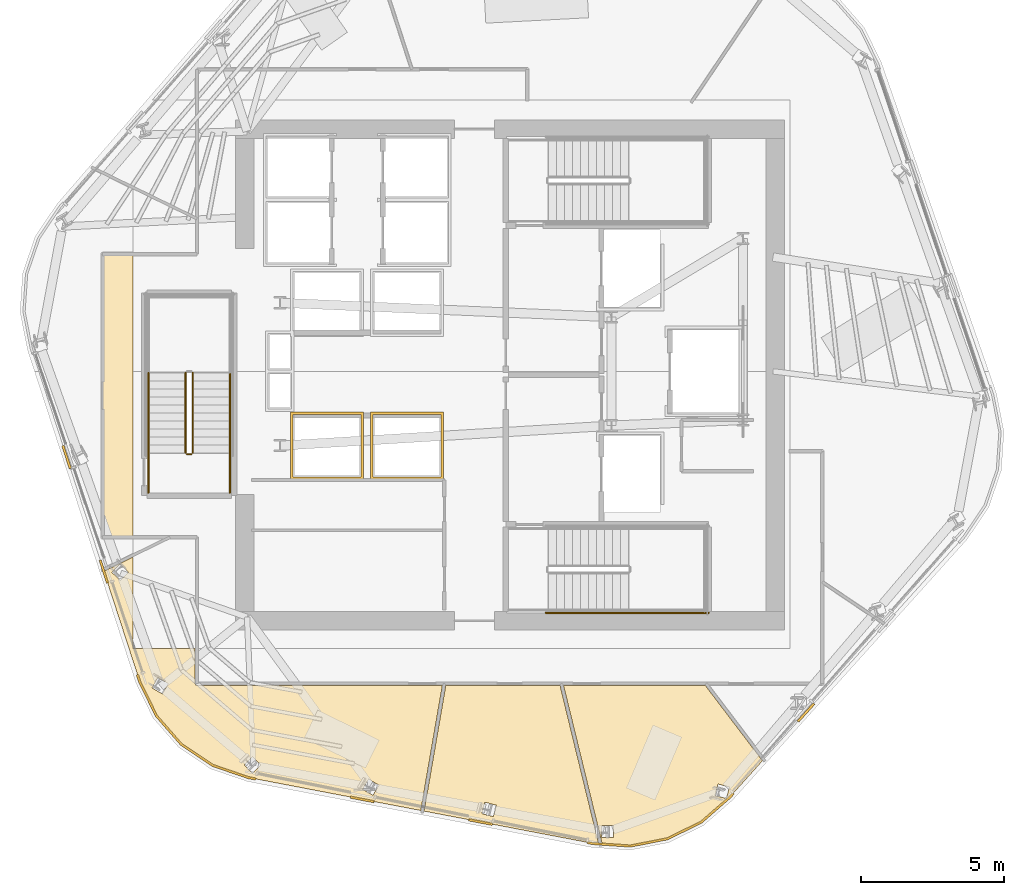
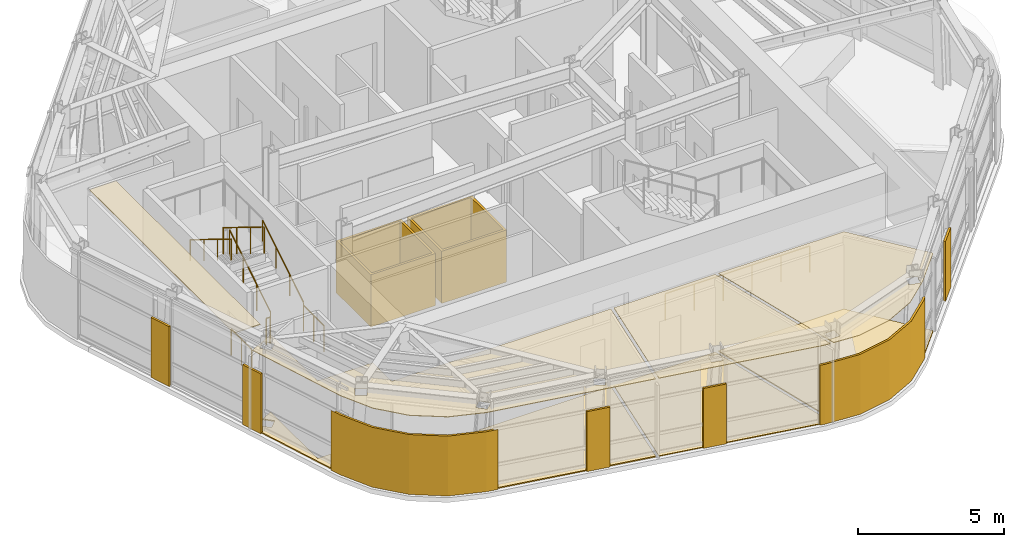
# One storey, part 8 of 12: 16 coverings, 8 railings.
"""IFC4 building model written with IfcOpenShell, lengths in metres."""

from ifc_helpers import new_model, si_unit, direction, frame, origin, origin_2d, place, context, subcontext, project, spatial, polyline, circle, outline, extrude, material, layer, layer_set, type_object, element, save


model = new_model("IFC4")

# Units and contexts
model_context = context("Model", 3, precision=1e-05, world=origin(), true_north=direction((0.0, 1.0)))
body_context = subcontext(model_context, "Body", "Model", "MODEL_VIEW")
ifc_project = project(units=[si_unit("LENGTHUNIT", "METRE"), si_unit("AREAUNIT", "SQUARE_METRE"), si_unit("VOLUMEUNIT", "CUBIC_METRE"), si_unit("PLANEANGLEUNIT", "RADIAN"), si_unit("MASSUNIT", "GRAM", prefix="KILO")], contexts=[model_context])

# Site, building, storey
site_placement = place(None, origin())
site = spatial("IfcSite", under=ifc_project, at=site_placement, CompositionType="ELEMENT")
building_placement = place(site_placement, origin())
building = spatial("IfcBuilding", under=site, at=building_placement, Name="Valkerne Bourse Tower", CompositionType="ELEMENT")
storey_placement = place(building_placement, frame((0.0, 0.0, 232.199951171875)))
storey = spatial("IfcBuildingStorey", under=building, at=storey_placement, Name="L59", CompositionType="ELEMENT", Elevation=232.199951171875)

# Coverings
ifc_material_1 = material(Name="Mineral Fiber Acoustic Ceiling Tile", Category="acoustic")
ifc_layer_1 = layer(ifc_material_1, 0.02490234375)
ifc_layer_set_1 = layer_set([ifc_layer_1], Name="Mineral Fiber Acoustic Ceiling Tile")
covering_type_1 = type_object("IfcCoveringType", Name="COV-CEIL-ACT", PredefinedType="CEILING", material=ifc_layer_set_1)
covering_1_placement = place(storey_placement, frame((0.0, 0.0, 3.25)))
element("IfcCovering", 1, at=covering_1_placement, inside=storey, type_object=covering_type_1, Name="L59 Suspended Ceiling 05", PredefinedType="CEILING", context=body_context, shape_type="SweptSolid", body=[
    extrude(outline(polyline([(44.5517578125, 16.010986328125), (48.550048828125, 16.010986328125), (49.900146484375, 10.47216796875), (49.6806640625, 10.487060546875), (43.792236328125, 11.614013671875), (44.5517578125, 16.010986328125)]), holes=[polyline([(45.91943359375, 11.9248046875), (45.917236328125, 11.925048828125), (45.814697265625, 11.526123046875), (46.215087890625, 11.422607421875), (46.21728515625, 11.422607421875), (46.320068359375, 11.821533203125), (45.91943359375, 11.9248046875)])]), origin(), (0.0, 0.0, 1.0), 0.025146484375),
])
covering_2_placement = place(storey_placement, frame((0.0, 0.0, 3.25)))
element("IfcCovering", 2, at=covering_2_placement, inside=storey, type_object=covering_type_1, Name="L59 Suspended Ceiling 06", PredefinedType="CEILING", context=body_context, shape_type="SweptSolid", body=[
    extrude(outline(polyline([(52.30224609375, 10.650634765625), (51.00732421875, 10.396728515625), (50.023681640625, 10.463623046875), (48.67138671875, 16.010986328125), (53.632080078125, 16.010986328125), (55.632080078125, 13.376220703125), (54.4892578125, 12.10546875), (53.487060546875, 11.231201171875), (52.30224609375, 10.650634765625)]), holes=[polyline([(50.416015625, 10.692138671875), (50.4140625, 11.10400390625), (50.00048828125, 11.1025390625), (49.998291015625, 11.10205078125), (50.0, 10.690185546875), (50.41357421875, 10.691650390625), (50.416015625, 10.692138671875)]), polyline([(54.474609375, 12.456298828125), (54.0771484375, 12.562744140625), (54.074951171875, 12.5615234375), (53.968994140625, 12.161376953125), (54.3662109375, 12.05517578125), (54.368408203125, 12.05615234375), (54.474609375, 12.456298828125)])]), origin(), (0.0, 0.0, 1.0), 0.025146484375),
])
covering_3_placement = place(storey_placement, frame((0.0, 0.0, 3.25)))
element("IfcCovering", 3, at=covering_3_placement, inside=storey, type_object=covering_type_1, Name="L59 Suspended Ceiling 09", PredefinedType="CEILING", context=body_context, shape_type="SweptSolid", body=[
    extrude(outline(polyline([(35.299560546875, 13.955322265625), (34.43212890625, 14.94970703125), (33.847900390625, 16.142578125), (32.590576171875, 20.00390625), (33.60009765625, 20.496337890625), (33.60009765625, 17.300048828125), (35.781005859375, 17.300048828125), (35.781005859375, 16.07958984375), (35.790283203125, 16.044921875), (35.81494140625, 16.0205078125), (35.849609375, 16.010986328125), (44.431884765625, 16.010986328125), (43.67626953125, 11.635986328125), (37.651611328125, 12.7890625), (36.394775390625, 13.219482421875), (35.299560546875, 13.955322265625)]), holes=[polyline([(41.853759765625, 12.732177734375), (41.851806640625, 12.73291015625), (41.644287109375, 12.377197265625), (42.00146484375, 12.168701171875), (42.003662109375, 12.167724609375), (42.2109375, 12.523681640625), (41.853759765625, 12.732177734375)]), polyline([(37.7880859375, 13.518310546875), (37.785888671875, 13.519775390625), (37.4951171875, 13.227783203125), (37.787841796875, 12.935791015625), (37.789794921875, 12.9345703125), (38.08056640625, 13.226318359375), (37.7880859375, 13.518310546875)]), polyline([(34.838623046875, 16.07666015625), (34.481689453125, 16.280517578125), (34.275634765625, 15.921142578125), (34.27734375, 15.919189453125), (34.63427734375, 15.71533203125), (34.84033203125, 16.07470703125), (34.838623046875, 16.07666015625)]), polyline([(33.4521484375, 19.976318359375), (33.15869140625, 20.26416015625), (32.8681640625, 19.968505859375), (32.869140625, 19.966552734375), (33.162841796875, 19.6787109375), (33.453125, 19.974365234375), (33.4521484375, 19.976318359375)])]), origin(), (0.0, 0.0, 1.0), 0.025146484375),
])
ifc_material_2 = material(Name="Bronze Anodised Aluminium AA 6063-T6", Category="aluminium")
ifc_layer_2 = layer(ifc_material_2, 0.030029296875)
ifc_layer_set_2 = layer_set([ifc_layer_2], Name="Bronze Anodised Aluminium AA 6063-T6")
covering_type_2 = type_object("IfcCoveringType", Name="COV-CEIL-METAL", PredefinedType="CEILING", material=ifc_layer_set_2)
covering_4_placement = place(storey_placement, frame((0.0, 0.0, 3.25)))
element("IfcCovering", 4, at=covering_4_placement, inside=storey, type_object=covering_type_2, Name="L59 Suspended Ceiling 02", PredefinedType="CEILING", context=body_context, shape_type="SweptSolid", body=[
    extrude(outline(polyline([(32.553955078125, 21.2041015625), (32.553955078125, 31.095947265625), (33.60009765625, 31.095947265625), (33.60009765625, 21.2041015625), (32.553955078125, 21.2041015625)])), origin(), (0.0, 0.0, 1.0), 0.025146484375),
])
ifc_layer_3 = layer(ifc_material_2, 0.06005859375)
ifc_layer_set_3 = layer_set([ifc_layer_3], Name="Bronze Anodised Aluminium AA 6063-T6")
covering_type_3 = type_object("IfcCoveringType", Name="COV-CRN-ALUM", PredefinedType="CLADDING", material=ifc_layer_set_3)
covering_5_placement = place(storey_placement, origin())
element("IfcCovering", 5, at=covering_5_placement, inside=storey, type_object=covering_type_3, Name="L59 Wind-Shaped Corner Aluminium Cladding 03", PredefinedType="CLADDING", context=body_context, shape_type="SweptSolid", body=[
    extrude(outline(polyline([(56.904052734375, 14.724609375), (56.843994140625, 14.777587890625), (57.40576171875, 15.402099609375), (57.4658203125, 15.34912109375), (56.904052734375, 14.724609375)])), origin(), (0.0, 0.0, 1.0), 2.5),
])
covering_6_placement = place(storey_placement, origin())
element("IfcCovering", 6, at=covering_6_placement, inside=storey, type_object=covering_type_3, Name="L59 Wind-Shaped Corner Aluminium Cladding 04", PredefinedType="CLADDING", context=body_context, shape_type="SweptSolid", body=[
    extrude(outline(polyline([(54.520263671875, 12.073974609375), (53.51171875, 11.194091796875), (52.31640625, 10.608642578125), (51.010009765625, 10.352294921875), (49.6748046875, 10.443359375), (49.485595703125, 10.4794921875), (49.50146484375, 10.55810546875), (49.685302734375, 10.522705078125), (51.0048828125, 10.432861328125), (52.29052734375, 10.68505859375), (53.467041015625, 11.261474609375), (54.464111328125, 12.131103515625), (54.589111328125, 12.270263671875), (54.649169921875, 12.21728515625), (54.520263671875, 12.073974609375)])), origin(), (0.0, 0.0, 1.0), 2.5),
])
covering_7_placement = place(storey_placement, origin())
element("IfcCovering", 7, at=covering_7_placement, inside=storey, type_object=covering_type_3, Name="L59 Wind-Shaped Corner Aluminium Cladding 05", PredefinedType="CLADDING", context=body_context, shape_type="SweptSolid", body=[
    extrude(outline(polyline([(45.348388671875, 11.271240234375), (45.3642578125, 11.349853515625), (46.189208984375, 11.19189453125), (46.173583984375, 11.11328125), (45.348388671875, 11.271240234375)])), origin(), (0.0, 0.0, 1.0), 2.5),
])
covering_8_placement = place(storey_placement, origin())
element("IfcCovering", 8, at=covering_8_placement, inside=storey, type_object=covering_type_3, Name="L59 Wind-Shaped Corner Aluminium Cladding 06", PredefinedType="CLADDING", context=body_context, shape_type="SweptSolid", body=[
    extrude(outline(polyline([(41.21142578125, 12.06298828125), (41.227294921875, 12.1416015625), (42.05224609375, 11.983642578125), (42.036376953125, 11.9052734375), (41.21142578125, 12.06298828125)])), origin(), (0.0, 0.0, 1.0), 2.5),
])
covering_9_placement = place(storey_placement, origin())
element("IfcCovering", 9, at=covering_9_placement, inside=storey, type_object=covering_type_3, Name="L59 Wind-Shaped Corner Aluminium Cladding 07", PredefinedType="CLADDING", context=body_context, shape_type="SweptSolid", body=[
    extrude(outline(polyline([(37.64013671875, 12.74658203125), (36.375, 13.1796875), (35.270263671875, 13.922119140625), (34.395263671875, 14.925048828125), (33.806884765625, 16.126220703125), (33.680419921875, 16.5146484375), (33.7265625, 16.377197265625), (33.801025390625, 16.40234375), (33.881103515625, 16.15625), (34.46240234375, 14.9697265625), (35.323486328125, 13.982666015625), (36.410888671875, 13.251953125), (37.660888671875, 12.823974609375), (37.9150390625, 12.775390625), (37.899658203125, 12.6982421875), (38.043212890625, 12.66943359375), (37.64013671875, 12.74658203125)])), origin(), (0.0, 0.0, 1.0), 2.5),
])
covering_10_placement = place(storey_placement, origin())
element("IfcCovering", 10, at=covering_10_placement, inside=storey, type_object=covering_type_3, Name="L59 Wind-Shaped Corner Aluminium Cladding 08", PredefinedType="CLADDING", context=body_context, shape_type="SweptSolid", body=[
    extrude(outline(polyline([(32.42138671875, 20.382080078125), (32.4970703125, 20.40771484375), (32.757080078125, 19.60888671875), (32.681396484375, 19.583251953125), (32.42138671875, 20.382080078125)])), origin(), (0.0, 0.0, 1.0), 2.5),
])
covering_11_placement = place(storey_placement, origin())
element("IfcCovering", 11, at=covering_11_placement, inside=storey, type_object=covering_type_3, Name="L59 Wind-Shaped Corner Aluminium Cladding 09", PredefinedType="CLADDING", context=body_context, shape_type="SweptSolid", body=[
    extrude(outline(polyline([(31.1171875, 24.38720703125), (31.193115234375, 24.412841796875), (31.453125, 23.614013671875), (31.377197265625, 23.588623046875), (31.1171875, 24.38720703125)])), origin(), (0.0, 0.0, 1.0), 2.5),
])
ifc_material_3 = material(Name="Galvanised Painted Steel", Category="steel")
ifc_layer_4 = layer(ifc_material_3, 0.044921875)
ifc_layer_set_4 = layer_set([ifc_layer_4], Name="Galvanised Painted Steel")
covering_type_4 = type_object("IfcCoveringType", Name="COV-FLR-RAF", PredefinedType="FLOORING", material=ifc_layer_set_4)
covering_12_placement = place(storey_placement, origin())
element("IfcCovering", 12, at=covering_12_placement, inside=storey, type_object=covering_type_4, Name="L59 Floor Finish 06", PredefinedType="FLOORING", context=body_context, shape_type="SweptSolid", body=[
    extrude(outline(polyline([(52.30224609375, 10.650634765625), (51.00732421875, 10.396728515625), (50.023681640625, 10.463623046875), (48.67138671875, 16.010986328125), (53.632080078125, 16.010986328125), (55.632080078125, 13.376220703125), (54.4892578125, 12.10546875), (53.487060546875, 11.231201171875), (52.30224609375, 10.650634765625)]), holes=[polyline([(50.416015625, 10.692138671875), (50.4140625, 11.10400390625), (50.00048828125, 11.1025390625), (49.998291015625, 11.10205078125), (50.0, 10.690185546875), (50.41357421875, 10.691650390625), (50.416015625, 10.692138671875)]), polyline([(54.474609375, 12.456298828125), (54.0771484375, 12.562744140625), (54.074951171875, 12.5615234375), (53.968994140625, 12.161376953125), (54.3662109375, 12.05517578125), (54.368408203125, 12.05615234375), (54.474609375, 12.456298828125)])]), origin(), (0.0, 0.0, 1.0), 0.045166015625),
])
covering_13_placement = place(storey_placement, origin())
element("IfcCovering", 13, at=covering_13_placement, inside=storey, type_object=covering_type_4, Name="L59 Floor Finish 09", PredefinedType="FLOORING", context=body_context, shape_type="SweptSolid", body=[
    extrude(outline(polyline([(35.299560546875, 13.955322265625), (34.43212890625, 14.94970703125), (33.847900390625, 16.142578125), (32.590576171875, 20.00390625), (33.60009765625, 20.496337890625), (33.60009765625, 17.300048828125), (35.781005859375, 17.300048828125), (35.781005859375, 16.07958984375), (35.790283203125, 16.044921875), (35.81494140625, 16.0205078125), (35.849609375, 16.010986328125), (44.431884765625, 16.010986328125), (43.67626953125, 11.635986328125), (37.651611328125, 12.7890625), (36.394775390625, 13.219482421875), (35.299560546875, 13.955322265625)]), holes=[polyline([(41.853759765625, 12.732177734375), (41.851806640625, 12.73291015625), (41.644287109375, 12.377197265625), (42.00146484375, 12.168701171875), (42.003662109375, 12.167724609375), (42.2109375, 12.523681640625), (41.853759765625, 12.732177734375)]), polyline([(37.7880859375, 13.518310546875), (37.785888671875, 13.519775390625), (37.4951171875, 13.227783203125), (37.787841796875, 12.935791015625), (37.789794921875, 12.9345703125), (38.08056640625, 13.226318359375), (37.7880859375, 13.518310546875)]), polyline([(34.838623046875, 16.07666015625), (34.481689453125, 16.280517578125), (34.275634765625, 15.921142578125), (34.27734375, 15.919189453125), (34.63427734375, 15.71533203125), (34.84033203125, 16.07470703125), (34.838623046875, 16.07666015625)]), polyline([(33.4521484375, 19.976318359375), (33.15869140625, 20.26416015625), (32.8681640625, 19.968505859375), (32.869140625, 19.966552734375), (33.162841796875, 19.6787109375), (33.453125, 19.974365234375), (33.4521484375, 19.976318359375)])]), origin(), (0.0, 0.0, 1.0), 0.045166015625),
])
ifc_material_4 = material(Name="Polished Granite Stone", Category="masonry")
ifc_layer_5 = layer(ifc_material_4, 0.030029296875)
ifc_layer_set_5 = layer_set([ifc_layer_5], Name="Polished Granite Stone")
covering_type_5 = type_object("IfcCoveringType", Name="COV-FLR-TERRAZZO", PredefinedType="FLOORING", material=ifc_layer_set_5)
covering_14_placement = place(storey_placement, origin())
element("IfcCovering", 14, at=covering_14_placement, inside=storey, type_object=covering_type_5, Name="L59 Floor Finish 05", PredefinedType="FLOORING", context=body_context, shape_type="SweptSolid", body=[
    extrude(outline(polyline([(44.5517578125, 16.010986328125), (48.550048828125, 16.010986328125), (49.900146484375, 10.47216796875), (49.6806640625, 10.487060546875), (43.792236328125, 11.614013671875), (44.5517578125, 16.010986328125)]), holes=[polyline([(45.91943359375, 11.9248046875), (45.917236328125, 11.925048828125), (45.814697265625, 11.526123046875), (46.215087890625, 11.422607421875), (46.21728515625, 11.422607421875), (46.320068359375, 11.821533203125), (45.91943359375, 11.9248046875)])]), origin(), (0.0, 0.0, 1.0), 0.030029296875),
])
ifc_material_5 = material(Name="Gypsum Shaftwall Liner Board", Category="gypsum")
ifc_layer_6 = layer(ifc_material_5, 0.080078125)
ifc_layer_set_6 = layer_set([ifc_layer_6], Name="Gypsum Shaftwall Liner Board")
covering_type_6 = type_object("IfcCoveringType", Name="COV-SHF-CLAD", PredefinedType="CLADDING", material=ifc_layer_set_6)
covering_15_placement = place(storey_placement, origin())
element("IfcCovering", 15, at=covering_15_placement, inside=storey, type_object=covering_type_6, Name="L59 Hoistway & Riser Shaftwall Liner 01", PredefinedType="CLADDING", context=body_context, shape_type="SweptSolid", body=[
    extrude(outline(polyline([(41.679931640625, 25.580078125), (41.679931640625, 23.219970703125), (39.1201171875, 23.219970703125), (39.1201171875, 25.580078125), (41.679931640625, 25.580078125)]), holes=[polyline([(41.590087890625, 25.489990234375), (39.2099609375, 25.489990234375), (39.2099609375, 23.31005859375), (41.590087890625, 23.31005859375), (41.590087890625, 25.489990234375)])]), origin(), (0.0, 0.0, 1.0), 2.179931640625),
])
covering_16_placement = place(storey_placement, origin())
element("IfcCovering", 16, at=covering_16_placement, inside=storey, type_object=covering_type_6, Name="L59 Hoistway & Riser Shaftwall Liner 02", PredefinedType="CLADDING", context=body_context, shape_type="SweptSolid", body=[
    extrude(outline(polyline([(44.47998046875, 23.219970703125), (41.919921875, 23.219970703125), (41.919921875, 25.580078125), (44.47998046875, 25.580078125), (44.47998046875, 23.219970703125)]), holes=[polyline([(42.010009765625, 25.489990234375), (42.010009765625, 23.31005859375), (44.389892578125, 23.31005859375), (44.389892578125, 25.489990234375), (42.010009765625, 25.489990234375)])]), origin(), (0.0, 0.0, 1.0), 2.179931640625),
])

# Railings
railing_type_1 = type_object("IfcRailingType", Name="RLG-ST-GUARD-1120", PredefinedType="GUARDRAIL", material=ifc_material_3)
railing_1_placement = place(storey_placement, frame((48.050048828125, 18.550048828125, 0.0)))
element("IfcRailing", 17, at=railing_1_placement, inside=storey, type_object=railing_type_1, Name="L59 ST-1 stair guard 10", PredefinedType="GUARDRAIL", context=body_context, shape_type="SweptSolid", body=[
    extrude(circle(Radius=0.02392578125, at=origin_2d()), frame((0.0, 0.0, 1.09619140625), z_axis=(1.0, 0.0, 0.0), x_axis=(0.0, 1.0, 0.0)), (0.0, 0.0, 1.0), 5.699951171875),
    extrude(circle(Radius=0.02099609375, at=origin_2d()), origin(), (0.0, 0.0, 1.0), 1.072021484375),
    extrude(circle(Radius=0.02099609375, at=origin_2d()), frame((1.139892578125, 0.0, 0.0)), (0.0, 0.0, 1.0), 1.072021484375),
    extrude(circle(Radius=0.02099609375, at=origin_2d()), frame((2.280029296875, 0.0, 0.0)), (0.0, 0.0, 1.0), 1.072021484375),
    extrude(circle(Radius=0.02099609375, at=origin_2d()), frame((3.419921875, 0.0, 0.0)), (0.0, 0.0, 1.0), 1.072021484375),
    extrude(circle(Radius=0.02099609375, at=origin_2d()), frame((4.56005859375, 0.0, 0.0)), (0.0, 0.0, 1.0), 1.072021484375),
    extrude(circle(Radius=0.02099609375, at=origin_2d()), frame((5.699951171875, 0.0, 0.0)), (0.0, 0.0, 1.0), 1.072021484375),
])
railing_2_placement = place(storey_placement, frame((35.699951171875, 24.14990234375, 0.1728515625)))
element("IfcRailing", 18, at=railing_2_placement, inside=storey, type_object=railing_type_1, Name="L59 ST-3 stair guard 1", PredefinedType="GUARDRAIL", context=body_context, shape_type="SweptSolid", body=[
    extrude(circle(Radius=0.02392578125, at=origin_2d()), frame((0.0, 0.0, 1.09619140625), z_axis=(0.0, 0.851089632645, 0.525020415988), x_axis=(-1.0, 0.0, 0.0)), (0.0, 0.0, 1.0), 3.2900390625),
    extrude(circle(Radius=0.02099609375, at=origin_2d()), origin(), (0.0, 0.0, 1.0), 1.072021484375),
    extrude(circle(Radius=0.02099609375, at=origin_2d()), frame((0.0, 0.933349609375, 0.57568359375)), (0.0, 0.0, 1.0), 1.072021484375),
    extrude(circle(Radius=0.02099609375, at=origin_2d()), frame((0.0, 1.86669921875, 1.151611328125)), (0.0, 0.0, 1.0), 1.072021484375),
    extrude(circle(Radius=0.02099609375, at=origin_2d()), frame((0.0, 2.800048828125, 1.727294921875)), (0.0, 0.0, 1.0), 1.072021484375),
])
railing_3_placement = place(storey_placement, frame((35.449951171875, 26.949951171875, 2.07275390625)))
element("IfcRailing", 19, at=railing_3_placement, inside=storey, type_object=railing_type_1, Name="L59 ST-3 stair guard 6", PredefinedType="GUARDRAIL", context=body_context, shape_type="SweptSolid", body=[
    extrude(circle(Radius=0.02392578125, at=origin_2d()), frame((0.0, 0.0, 1.09619140625), z_axis=(0.0, -0.851089632645, 0.525020415988), x_axis=(1.0, 0.0, 0.0)), (0.0, 0.0, 1.0), 3.2900390625),
    extrude(circle(Radius=0.02099609375, at=origin_2d()), origin(), (0.0, 0.0, 1.0), 1.072021484375),
    extrude(circle(Radius=0.02099609375, at=origin_2d()), frame((0.0, -0.933349609375, 0.57568359375)), (0.0, 0.0, 1.0), 1.072021484375),
    extrude(circle(Radius=0.02099609375, at=origin_2d()), frame((0.0, -1.86669921875, 1.151611328125)), (0.0, 0.0, 1.0), 1.072021484375),
    extrude(circle(Radius=0.02099609375, at=origin_2d()), frame((0.0, -2.800048828125, 1.727294921875)), (0.0, 0.0, 1.0), 1.072021484375),
])
railing_4_placement = place(storey_placement, frame((35.64990234375, 24.10009765625, 0.0)))
element("IfcRailing", 20, at=railing_4_placement, inside=storey, type_object=railing_type_1, Name="L59 ST-3 stair guard 7", PredefinedType="GUARDRAIL", context=body_context, shape_type="SweptSolid", body=[
    extrude(circle(Radius=0.02392578125, at=origin_2d()), frame((0.0, 0.0, 1.09619140625), z_axis=(-1.0, 0.0, 0.0), x_axis=(0.0, -1.0, 0.0)), (0.0, 0.0, 1.0), 0.14990234375),
    extrude(circle(Radius=0.02099609375, at=origin_2d()), origin(), (0.0, 0.0, 1.0), 1.072021484375),
    extrude(circle(Radius=0.02099609375, at=origin_2d()), frame((-0.14990234375, 0.0, 0.0)), (0.0, 0.0, 1.0), 1.072021484375),
])
for number, where, name in (
    (21, (37.0, 22.75, 0.0), "L59 ST-3 stair guard 8"),
    (22, (34.14990234375, 22.75, 0.0), "L59 ST-3 stair guard 9"),
):
    element("IfcRailing", number, at=place(storey_placement, frame(where)), inside=storey, type_object=railing_type_1, Name=name, PredefinedType="GUARDRAIL", context=body_context, shape_type="SweptSolid", body=[
        extrude(circle(Radius=0.02392578125, at=origin_2d()), frame((0.0, 0.0, 1.09619140625), z_axis=(0.0, 1.0, 0.0), x_axis=(-1.0, 0.0, 0.0)), (0.0, 0.0, 1.0), 1.39990234375),
        extrude(circle(Radius=0.02099609375, at=origin_2d()), origin(), (0.0, 0.0, 1.0), 1.072021484375),
        extrude(circle(Radius=0.02099609375, at=origin_2d()), frame((0.0, 0.699951171875, 0.0)), (0.0, 0.0, 1.0), 1.072021484375),
        extrude(circle(Radius=0.02099609375, at=origin_2d()), frame((0.0, 1.39990234375, 0.0)), (0.0, 0.0, 1.0), 1.072021484375),
    ])
ifc_material_6 = material(Name="Stainless Steel AISI 316", Category="steel")
railing_type_2 = type_object("IfcRailingType", Name="RLG-ST-HANDRAIL-900", PredefinedType="HANDRAIL", material=ifc_material_6)
railing_5_placement = place(storey_placement, frame((37.0, 24.14990234375, 0.345458984375)))
element("IfcRailing", 23, at=railing_5_placement, inside=storey, type_object=railing_type_2, Name="L59 ST-3 stair handrail 1", PredefinedType="HANDRAIL", context=body_context, shape_type="SweptSolid", body=[
    extrude(circle(Radius=0.02392578125, at=origin_2d()), frame((0.0, 0.0, 0.8759765625), z_axis=(0.0, 0.851089632645, 0.525020415988), x_axis=(-1.0, 0.0, 0.0)), (0.0, 0.0, 1.0), 3.2900390625),
    extrude(circle(Radius=0.02099609375, at=origin_2d()), origin(), (0.0, 0.0, 1.0), 0.851806640625),
    extrude(circle(Radius=0.02099609375, at=origin_2d()), frame((0.0, 0.933349609375, 0.57568359375)), (0.0, 0.0, 1.0), 0.851806640625),
    extrude(circle(Radius=0.02099609375, at=origin_2d()), frame((0.0, 1.86669921875, 1.151611328125)), (0.0, 0.0, 1.0), 0.851806640625),
    extrude(circle(Radius=0.02099609375, at=origin_2d()), frame((0.0, 2.800048828125, 1.727294921875)), (0.0, 0.0, 1.0), 0.851806640625),
])
railing_6_placement = place(storey_placement, frame((34.14990234375, 26.949951171875, 2.24560546875)))
element("IfcRailing", 24, at=railing_6_placement, inside=storey, type_object=railing_type_2, Name="L59 ST-3 stair handrail 2", PredefinedType="HANDRAIL", context=body_context, shape_type="SweptSolid", body=[
    extrude(circle(Radius=0.02392578125, at=origin_2d()), frame((0.0, 0.0, 0.8759765625), z_axis=(0.0, -0.851122791225, 0.524966660138), x_axis=(1.0, 0.0, 0.0)), (0.0, 0.0, 1.0), 3.289794921875),
    extrude(circle(Radius=0.02099609375, at=origin_2d()), origin(), (0.0, 0.0, 1.0), 0.851806640625),
    extrude(circle(Radius=0.02099609375, at=origin_2d()), frame((0.0, -0.933349609375, 0.57568359375)), (0.0, 0.0, 1.0), 0.851806640625),
    extrude(circle(Radius=0.02099609375, at=origin_2d()), frame((0.0, -1.86669921875, 1.1513671875)), (0.0, 0.0, 1.0), 0.851806640625),
    extrude(circle(Radius=0.02099609375, at=origin_2d()), frame((0.0, -2.800048828125, 1.72705078125)), (0.0, 0.0, 1.0), 0.851806640625),
])

save(model, "model.ifc")
